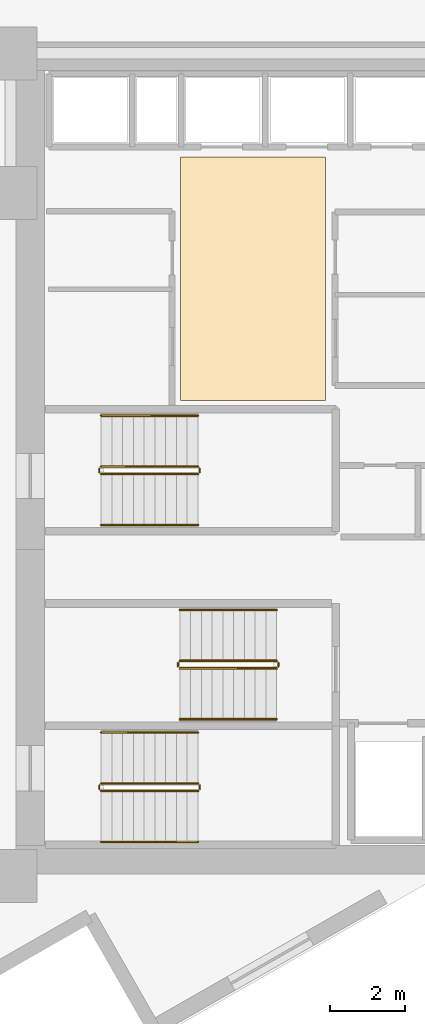
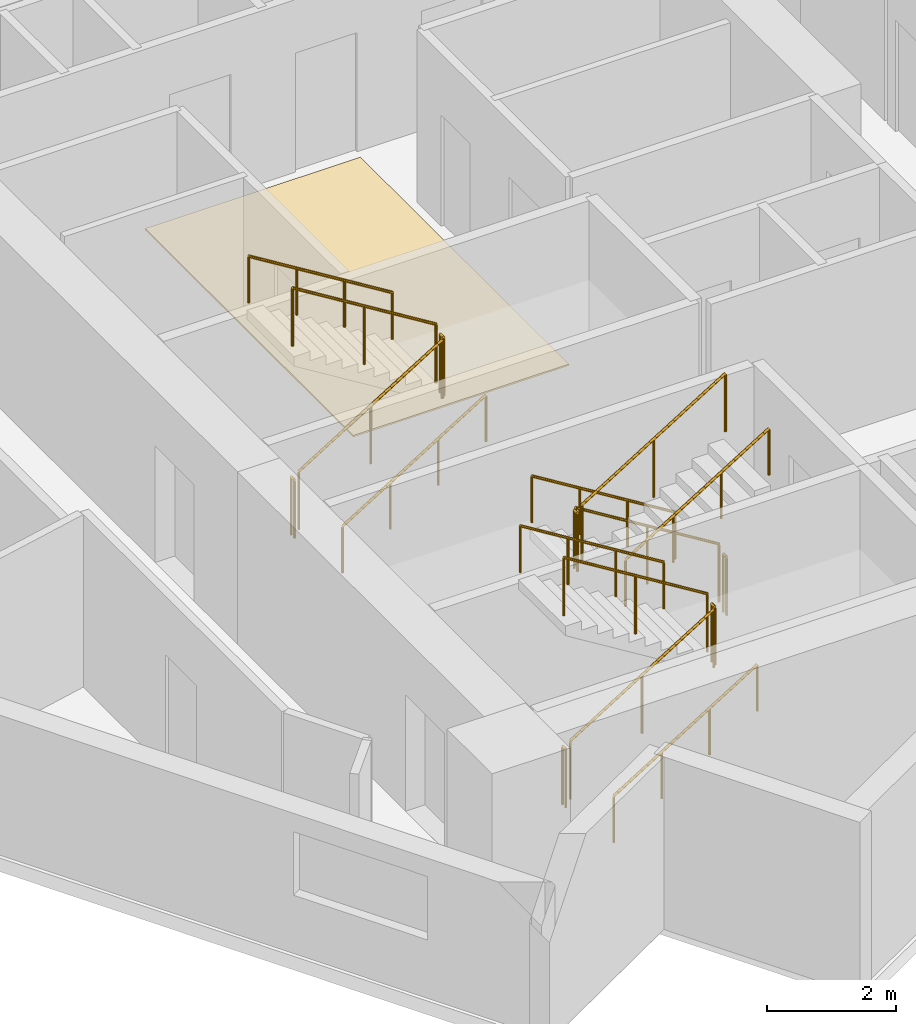
# One storey, part 13 of 14: 18 railings, 1 covering.
"""IFC4 building model written with IfcOpenShell, lengths in metres."""

from ifc_helpers import new_model, si_unit, direction, frame, origin, origin_2d, place, context, subcontext, project, spatial, polyline, circle, outline, extrude, material, layer, layer_set, type_object, element, save


model = new_model("IFC4")

# Units and contexts
model_context = context("Model", 3, precision=1e-05, world=origin(), true_north=direction((0.0, 1.0)))
body_context = subcontext(model_context, "Body", "Model", "MODEL_VIEW")
ifc_project = project(units=[si_unit("LENGTHUNIT", "METRE"), si_unit("AREAUNIT", "SQUARE_METRE"), si_unit("VOLUMEUNIT", "CUBIC_METRE"), si_unit("PLANEANGLEUNIT", "RADIAN"), si_unit("MASSUNIT", "GRAM", prefix="KILO")], contexts=[model_context])

# Site, building, storey
site_placement = place(None, origin())
site = spatial("IfcSite", under=ifc_project, at=site_placement, CompositionType="ELEMENT")
building_placement = place(site_placement, origin())
building = spatial("IfcBuilding", under=site, at=building_placement, Name="Narakoshi Arena Tower", CompositionType="ELEMENT")
storey_placement = place(building_placement, frame((0.0, 0.0, 218.5)))
storey = spatial("IfcBuildingStorey", under=building, at=storey_placement, Name="L59", CompositionType="ELEMENT", Elevation=218.5)

# Covering
ifc_material_1 = material(Name="Honed granite stone paving", Category="masonry")
ifc_layer = layer(ifc_material_1, 0.030029296875)
ifc_layer_set = layer_set([ifc_layer], Name="Honed granite stone paving")
covering_type = type_object("IfcCoveringType", Name="COV-FLR-ST30", PredefinedType="FLOORING", material=ifc_layer_set)
covering_placement = place(storey_placement, origin())
element("IfcCovering", 1, at=covering_placement, inside=storey, type_object=covering_type, Name="L59 Lift Lobby Granite Flooring", PredefinedType="FLOORING", context=body_context, shape_type="SweptSolid", body=[
    extrude(outline(polyline([(76.5, 47.300048828125), (80.35009765625, 47.300048828125), (80.35009765625, 53.75), (76.5, 53.75), (76.5, 47.300048828125)])), origin(), (0.0, 0.0, 1.0), 0.030029296875),
])

# Railings
ifc_material_2 = material(Name="Clear low-iron laminated structural glass", Category="glass")
railing_type_1 = type_object("IfcRailingType", Name="RL-BAL-1100", PredefinedType="BALUSTRADE", material=ifc_material_2)
railing_1_placement = place(storey_placement, frame((74.39990234375, 36.949951171875, 0.176025390625)))
element("IfcRailing", 2, at=railing_1_placement, inside=storey, type_object=railing_type_1, Name="L59 ST1 stair guard 1", PredefinedType="BALUSTRADE", context=body_context, shape_type="SweptSolid", body=[
    extrude(circle(Radius=0.02392578125, at=origin_2d()), frame((0.0, 0.0, 1.09619140625), z_axis=(0.850856559306, 0.0, 0.525398054323), x_axis=(0.0, 1.0, 0.0)), (0.0, 0.0, 1.0), 3.014892578125),
    extrude(circle(Radius=0.02099609375, at=origin_2d()), origin(), (0.0, 0.0, 1.0), 1.072021484375),
    extrude(circle(Radius=0.02099609375, at=origin_2d()), frame((1.28271484375, 0.0, 0.7919921875)), (0.0, 0.0, 1.0), 1.072021484375),
    extrude(circle(Radius=0.02099609375, at=origin_2d()), frame((2.565185546875, 0.0, 1.583984375)), (0.0, 0.0, 1.0), 1.072021484375),
])
railing_2_placement = place(storey_placement, frame((77.014892578125, 37.0, 1.760009765625)))
element("IfcRailing", 3, at=railing_2_placement, inside=storey, type_object=railing_type_1, Name="L59 ST1 stair guard 2", PredefinedType="BALUSTRADE", context=body_context, shape_type="SweptSolid", body=[
    extrude(circle(Radius=0.02392578125, at=origin_2d()), frame((0.0, 0.0, 1.09619140625), z_axis=(0.0, 1.0, 0.0), x_axis=(-1.0, 0.0, 0.0)), (0.0, 0.0, 1.0), 0.10009765625),
    extrude(circle(Radius=0.02099609375, at=origin_2d()), origin(), (0.0, 0.0, 1.0), 1.072021484375),
    extrude(circle(Radius=0.02099609375, at=origin_2d()), frame((0.0, 0.10009765625, 0.0)), (0.0, 0.0, 1.0), 1.072021484375),
])
railing_3_placement = place(storey_placement, frame((76.965087890625, 37.14990234375, 1.93603515625)))
element("IfcRailing", 4, at=railing_3_placement, inside=storey, type_object=railing_type_1, Name="L59 ST1 stair guard 3", PredefinedType="BALUSTRADE", context=body_context, shape_type="SweptSolid", body=[
    extrude(circle(Radius=0.02392578125, at=origin_2d()), frame((0.0, 0.0, 1.09619140625), z_axis=(-0.850856559306, 0.0, 0.525398054323), x_axis=(0.0, -1.0, 0.0)), (0.0, 0.0, 1.0), 3.014892578125),
    extrude(circle(Radius=0.02099609375, at=origin_2d()), origin(), (0.0, 0.0, 1.0), 1.072021484375),
    extrude(circle(Radius=0.02099609375, at=origin_2d()), frame((-1.28271484375, 0.0, 0.7919921875)), (0.0, 0.0, 1.0), 1.072021484375),
    extrude(circle(Radius=0.02099609375, at=origin_2d()), frame((-2.565185546875, 0.0, 1.583984375)), (0.0, 0.0, 1.0), 1.072021484375),
])
railing_4_placement = place(storey_placement, frame((74.35009765625, 37.0, 0.0)))
element("IfcRailing", 5, at=railing_4_placement, inside=storey, type_object=railing_type_1, Name="L59 ST1 stair guard 4", PredefinedType="BALUSTRADE", context=body_context, shape_type="SweptSolid", body=[
    extrude(circle(Radius=0.02392578125, at=origin_2d()), frame((0.0, 0.0, 1.09619140625), z_axis=(0.0, 1.0, 0.0), x_axis=(-1.0, 0.0, 0.0)), (0.0, 0.0, 1.0), 0.10009765625),
    extrude(circle(Radius=0.02099609375, at=origin_2d()), origin(), (0.0, 0.0, 1.0), 1.072021484375),
    extrude(circle(Radius=0.02099609375, at=origin_2d()), frame((0.0, 0.10009765625, 0.0)), (0.0, 0.0, 1.0), 1.072021484375),
])
railing_5_placement = place(storey_placement, frame((79.050048828125, 40.39990234375, 0.176025390625)))
element("IfcRailing", 6, at=railing_5_placement, inside=storey, type_object=railing_type_1, Name="L59 ST2 stair guard 1", PredefinedType="BALUSTRADE", context=body_context, shape_type="SweptSolid", body=[
    extrude(circle(Radius=0.02392578125, at=origin_2d()), frame((0.0, 0.0, 1.09619140625), z_axis=(-0.850834203031, 0.0, 0.525434257497), x_axis=(0.0, -1.0, 0.0)), (0.0, 0.0, 1.0), 3.0146484375),
    extrude(circle(Radius=0.02099609375, at=origin_2d()), origin(), (0.0, 0.0, 1.0), 1.072021484375),
    extrude(circle(Radius=0.02099609375, at=origin_2d()), frame((-1.282470703125, 0.0, 0.7919921875)), (0.0, 0.0, 1.0), 1.072021484375),
    extrude(circle(Radius=0.02099609375, at=origin_2d()), frame((-2.56494140625, 0.0, 1.583984375)), (0.0, 0.0, 1.0), 1.072021484375),
])
railing_6_placement = place(storey_placement, frame((76.43505859375, 40.35009765625, 1.760009765625)))
element("IfcRailing", 7, at=railing_6_placement, inside=storey, type_object=railing_type_1, Name="L59 ST2 stair guard 2", PredefinedType="BALUSTRADE", context=body_context, shape_type="SweptSolid", body=[
    extrude(circle(Radius=0.02392578125, at=origin_2d()), frame((0.0, 0.0, 1.09619140625), z_axis=(0.0, -1.0, 0.0), x_axis=(1.0, 0.0, 0.0)), (0.0, 0.0, 1.0), 0.10009765625),
    extrude(circle(Radius=0.02099609375, at=origin_2d()), origin(), (0.0, 0.0, 1.0), 1.072021484375),
    extrude(circle(Radius=0.02099609375, at=origin_2d()), frame((0.0, -0.10009765625, 0.0)), (0.0, 0.0, 1.0), 1.072021484375),
])
railing_7_placement = place(storey_placement, frame((76.485107421875, 40.199951171875, 1.93603515625)))
element("IfcRailing", 8, at=railing_7_placement, inside=storey, type_object=railing_type_1, Name="L59 ST2 stair guard 3", PredefinedType="BALUSTRADE", context=body_context, shape_type="SweptSolid", body=[
    extrude(circle(Radius=0.02392578125, at=origin_2d()), frame((0.0, 0.0, 1.09619140625), z_axis=(0.850834203031, 0.0, 0.525434257497), x_axis=(0.0, 1.0, 0.0)), (0.0, 0.0, 1.0), 3.0146484375),
    extrude(circle(Radius=0.02099609375, at=origin_2d()), origin(), (0.0, 0.0, 1.0), 1.072021484375),
    extrude(circle(Radius=0.02099609375, at=origin_2d()), frame((1.282470703125, 0.0, 0.7919921875)), (0.0, 0.0, 1.0), 1.072021484375),
    extrude(circle(Radius=0.02099609375, at=origin_2d()), frame((2.56494140625, 0.0, 1.583984375)), (0.0, 0.0, 1.0), 1.072021484375),
])
railing_8_placement = place(storey_placement, frame((79.10009765625, 40.35009765625, 0.0)))
element("IfcRailing", 9, at=railing_8_placement, inside=storey, type_object=railing_type_1, Name="L59 ST2 stair guard 4", PredefinedType="BALUSTRADE", context=body_context, shape_type="SweptSolid", body=[
    extrude(circle(Radius=0.02392578125, at=origin_2d()), frame((0.0, 0.0, 1.09619140625), z_axis=(0.0, -1.0, 0.0), x_axis=(1.0, 0.0, 0.0)), (0.0, 0.0, 1.0), 0.10009765625),
    extrude(circle(Radius=0.02099609375, at=origin_2d()), origin(), (0.0, 0.0, 1.0), 1.072021484375),
    extrude(circle(Radius=0.02099609375, at=origin_2d()), frame((0.0, -0.10009765625, 0.0)), (0.0, 0.0, 1.0), 1.072021484375),
])
railing_9_placement = place(storey_placement, frame((74.39990234375, 45.35009765625, 0.176025390625)))
element("IfcRailing", 10, at=railing_9_placement, inside=storey, type_object=railing_type_1, Name="L59 ST3 stair guard 1", PredefinedType="BALUSTRADE", context=body_context, shape_type="SweptSolid", body=[
    extrude(circle(Radius=0.02392578125, at=origin_2d()), frame((0.0, 0.0, 1.09619140625), z_axis=(0.850856559306, 0.0, 0.525398054323), x_axis=(0.0, 1.0, 0.0)), (0.0, 0.0, 1.0), 3.014892578125),
    extrude(circle(Radius=0.02099609375, at=origin_2d()), origin(), (0.0, 0.0, 1.0), 1.072021484375),
    extrude(circle(Radius=0.02099609375, at=origin_2d()), frame((1.28271484375, 0.0, 0.7919921875)), (0.0, 0.0, 1.0), 1.072021484375),
    extrude(circle(Radius=0.02099609375, at=origin_2d()), frame((2.565185546875, 0.0, 1.583984375)), (0.0, 0.0, 1.0), 1.072021484375),
])
railing_10_placement = place(storey_placement, frame((77.014892578125, 45.39990234375, 1.760009765625)))
element("IfcRailing", 11, at=railing_10_placement, inside=storey, type_object=railing_type_1, Name="L59 ST3 stair guard 2", PredefinedType="BALUSTRADE", context=body_context, shape_type="SweptSolid", body=[
    extrude(circle(Radius=0.02392578125, at=origin_2d()), frame((0.0, 0.0, 1.09619140625), z_axis=(0.0, 1.0, 0.0), x_axis=(-1.0, 0.0, 0.0)), (0.0, 0.0, 1.0), 0.10009765625),
    extrude(circle(Radius=0.02099609375, at=origin_2d()), origin(), (0.0, 0.0, 1.0), 1.072021484375),
    extrude(circle(Radius=0.02099609375, at=origin_2d()), frame((0.0, 0.10009765625, 0.0)), (0.0, 0.0, 1.0), 1.072021484375),
])
railing_11_placement = place(storey_placement, frame((76.965087890625, 45.550048828125, 1.93603515625)))
element("IfcRailing", 12, at=railing_11_placement, inside=storey, type_object=railing_type_1, Name="L59 ST3 stair guard 3", PredefinedType="BALUSTRADE", context=body_context, shape_type="SweptSolid", body=[
    extrude(circle(Radius=0.02392578125, at=origin_2d()), frame((0.0, 0.0, 1.09619140625), z_axis=(-0.850856559306, 0.0, 0.525398054323), x_axis=(0.0, -1.0, 0.0)), (0.0, 0.0, 1.0), 3.014892578125),
    extrude(circle(Radius=0.02099609375, at=origin_2d()), origin(), (0.0, 0.0, 1.0), 1.072021484375),
    extrude(circle(Radius=0.02099609375, at=origin_2d()), frame((-1.28271484375, 0.0, 0.7919921875)), (0.0, 0.0, 1.0), 1.072021484375),
    extrude(circle(Radius=0.02099609375, at=origin_2d()), frame((-2.565185546875, 0.0, 1.583984375)), (0.0, 0.0, 1.0), 1.072021484375),
])
railing_12_placement = place(storey_placement, frame((74.35009765625, 45.39990234375, 0.0)))
element("IfcRailing", 13, at=railing_12_placement, inside=storey, type_object=railing_type_1, Name="L59 ST3 stair guard 4", PredefinedType="BALUSTRADE", context=body_context, shape_type="SweptSolid", body=[
    extrude(circle(Radius=0.02392578125, at=origin_2d()), frame((0.0, 0.0, 1.09619140625), z_axis=(0.0, 1.0, 0.0), x_axis=(-1.0, 0.0, 0.0)), (0.0, 0.0, 1.0), 0.10009765625),
    extrude(circle(Radius=0.02099609375, at=origin_2d()), origin(), (0.0, 0.0, 1.0), 1.072021484375),
    extrude(circle(Radius=0.02099609375, at=origin_2d()), frame((0.0, 0.10009765625, 0.0)), (0.0, 0.0, 1.0), 1.072021484375),
])
ifc_material_3 = material(Name="Brushed bronze stainless steel", Category="steel")
railing_type_2 = type_object("IfcRailingType", Name="RL-HND-900", PredefinedType="HANDRAIL", material=ifc_material_3)
railing_13_placement = place(storey_placement, frame((74.39990234375, 35.60009765625, 0.176025390625)))
element("IfcRailing", 14, at=railing_13_placement, inside=storey, type_object=railing_type_2, Name="L59 ST1 stair handrail 1", PredefinedType="HANDRAIL", context=body_context, shape_type="SweptSolid", body=[
    extrude(circle(Radius=0.02392578125, at=origin_2d()), frame((0.0, 0.0, 0.8759765625), z_axis=(0.850856559306, 0.0, 0.525398054323), x_axis=(0.0, 1.0, 0.0)), (0.0, 0.0, 1.0), 3.014892578125),
    extrude(circle(Radius=0.02099609375, at=origin_2d()), origin(), (0.0, 0.0, 1.0), 0.851806640625),
    extrude(circle(Radius=0.02099609375, at=origin_2d()), frame((0.85498046875, 0.0, 0.528076171875)), (0.0, 0.0, 1.0), 0.851806640625),
    extrude(circle(Radius=0.02099609375, at=origin_2d()), frame((1.710205078125, 0.0, 1.055908203125)), (0.0, 0.0, 1.0), 0.851806640625),
    extrude(circle(Radius=0.02099609375, at=origin_2d()), frame((2.565185546875, 0.0, 1.583984375)), (0.0, 0.0, 1.0), 0.851806640625),
])
railing_14_placement = place(storey_placement, frame((76.965087890625, 38.5, 1.93603515625)))
element("IfcRailing", 15, at=railing_14_placement, inside=storey, type_object=railing_type_2, Name="L59 ST1 stair handrail 2", PredefinedType="HANDRAIL", context=body_context, shape_type="SweptSolid", body=[
    extrude(circle(Radius=0.02392578125, at=origin_2d()), frame((0.0, 0.0, 0.8759765625), z_axis=(-0.850856559306, 0.0, 0.525398054323), x_axis=(0.0, -1.0, 0.0)), (0.0, 0.0, 1.0), 3.014892578125),
    extrude(circle(Radius=0.02099609375, at=origin_2d()), origin(), (0.0, 0.0, 1.0), 0.851806640625),
    extrude(circle(Radius=0.02099609375, at=origin_2d()), frame((-0.85498046875, 0.0, 0.528076171875)), (0.0, 0.0, 1.0), 0.851806640625),
    extrude(circle(Radius=0.02099609375, at=origin_2d()), frame((-1.710205078125, 0.0, 1.055908203125)), (0.0, 0.0, 1.0), 0.851806640625),
    extrude(circle(Radius=0.02099609375, at=origin_2d()), frame((-2.565185546875, 0.0, 1.583984375)), (0.0, 0.0, 1.0), 0.851806640625),
])
railing_15_placement = place(storey_placement, frame((79.050048828125, 41.75, 0.176025390625)))
element("IfcRailing", 16, at=railing_15_placement, inside=storey, type_object=railing_type_2, Name="L59 ST2 stair handrail 1", PredefinedType="HANDRAIL", context=body_context, shape_type="SweptSolid", body=[
    extrude(circle(Radius=0.02392578125, at=origin_2d()), frame((0.0, 0.0, 0.8759765625), z_axis=(-0.850834203031, 0.0, 0.525434257497), x_axis=(0.0, -1.0, 0.0)), (0.0, 0.0, 1.0), 3.0146484375),
    extrude(circle(Radius=0.02099609375, at=origin_2d()), origin(), (0.0, 0.0, 1.0), 0.851806640625),
    extrude(circle(Radius=0.02099609375, at=origin_2d()), frame((-0.85498046875, 0.0, 0.528076171875)), (0.0, 0.0, 1.0), 0.851806640625),
    extrude(circle(Radius=0.02099609375, at=origin_2d()), frame((-1.7099609375, 0.0, 1.055908203125)), (0.0, 0.0, 1.0), 0.851806640625),
    extrude(circle(Radius=0.02099609375, at=origin_2d()), frame((-2.56494140625, 0.0, 1.583984375)), (0.0, 0.0, 1.0), 0.851806640625),
])
railing_16_placement = place(storey_placement, frame((76.485107421875, 38.85009765625, 1.93603515625)))
element("IfcRailing", 17, at=railing_16_placement, inside=storey, type_object=railing_type_2, Name="L59 ST2 stair handrail 2", PredefinedType="HANDRAIL", context=body_context, shape_type="SweptSolid", body=[
    extrude(circle(Radius=0.02392578125, at=origin_2d()), frame((0.0, 0.0, 0.8759765625), z_axis=(0.850834203031, 0.0, 0.525434257497), x_axis=(0.0, 1.0, 0.0)), (0.0, 0.0, 1.0), 3.0146484375),
    extrude(circle(Radius=0.02099609375, at=origin_2d()), origin(), (0.0, 0.0, 1.0), 0.851806640625),
    extrude(circle(Radius=0.02099609375, at=origin_2d()), frame((0.85498046875, 0.0, 0.528076171875)), (0.0, 0.0, 1.0), 0.851806640625),
    extrude(circle(Radius=0.02099609375, at=origin_2d()), frame((1.7099609375, 0.0, 1.055908203125)), (0.0, 0.0, 1.0), 0.851806640625),
    extrude(circle(Radius=0.02099609375, at=origin_2d()), frame((2.56494140625, 0.0, 1.583984375)), (0.0, 0.0, 1.0), 0.851806640625),
])
railing_17_placement = place(storey_placement, frame((74.39990234375, 44.0, 0.176025390625)))
element("IfcRailing", 18, at=railing_17_placement, inside=storey, type_object=railing_type_2, Name="L59 ST3 stair handrail 1", PredefinedType="HANDRAIL", context=body_context, shape_type="SweptSolid", body=[
    extrude(circle(Radius=0.02392578125, at=origin_2d()), frame((0.0, 0.0, 0.8759765625), z_axis=(0.850856559306, 0.0, 0.525398054323), x_axis=(0.0, 1.0, 0.0)), (0.0, 0.0, 1.0), 3.014892578125),
    extrude(circle(Radius=0.02099609375, at=origin_2d()), origin(), (0.0, 0.0, 1.0), 0.851806640625),
    extrude(circle(Radius=0.02099609375, at=origin_2d()), frame((0.85498046875, 0.0, 0.528076171875)), (0.0, 0.0, 1.0), 0.851806640625),
    extrude(circle(Radius=0.02099609375, at=origin_2d()), frame((1.710205078125, 0.0, 1.055908203125)), (0.0, 0.0, 1.0), 0.851806640625),
    extrude(circle(Radius=0.02099609375, at=origin_2d()), frame((2.565185546875, 0.0, 1.583984375)), (0.0, 0.0, 1.0), 0.851806640625),
])
railing_18_placement = place(storey_placement, frame((76.965087890625, 46.89990234375, 1.93603515625)))
element("IfcRailing", 19, at=railing_18_placement, inside=storey, type_object=railing_type_2, Name="L59 ST3 stair handrail 2", PredefinedType="HANDRAIL", context=body_context, shape_type="SweptSolid", body=[
    extrude(circle(Radius=0.02392578125, at=origin_2d()), frame((0.0, 0.0, 0.8759765625), z_axis=(-0.850856559306, 0.0, 0.525398054323), x_axis=(0.0, -1.0, 0.0)), (0.0, 0.0, 1.0), 3.014892578125),
    extrude(circle(Radius=0.02099609375, at=origin_2d()), origin(), (0.0, 0.0, 1.0), 0.851806640625),
    extrude(circle(Radius=0.02099609375, at=origin_2d()), frame((-0.85498046875, 0.0, 0.528076171875)), (0.0, 0.0, 1.0), 0.851806640625),
    extrude(circle(Radius=0.02099609375, at=origin_2d()), frame((-1.710205078125, 0.0, 1.055908203125)), (0.0, 0.0, 1.0), 0.851806640625),
    extrude(circle(Radius=0.02099609375, at=origin_2d()), frame((-2.565185546875, 0.0, 1.583984375)), (0.0, 0.0, 1.0), 0.851806640625),
])

save(model, "model.ifc")
